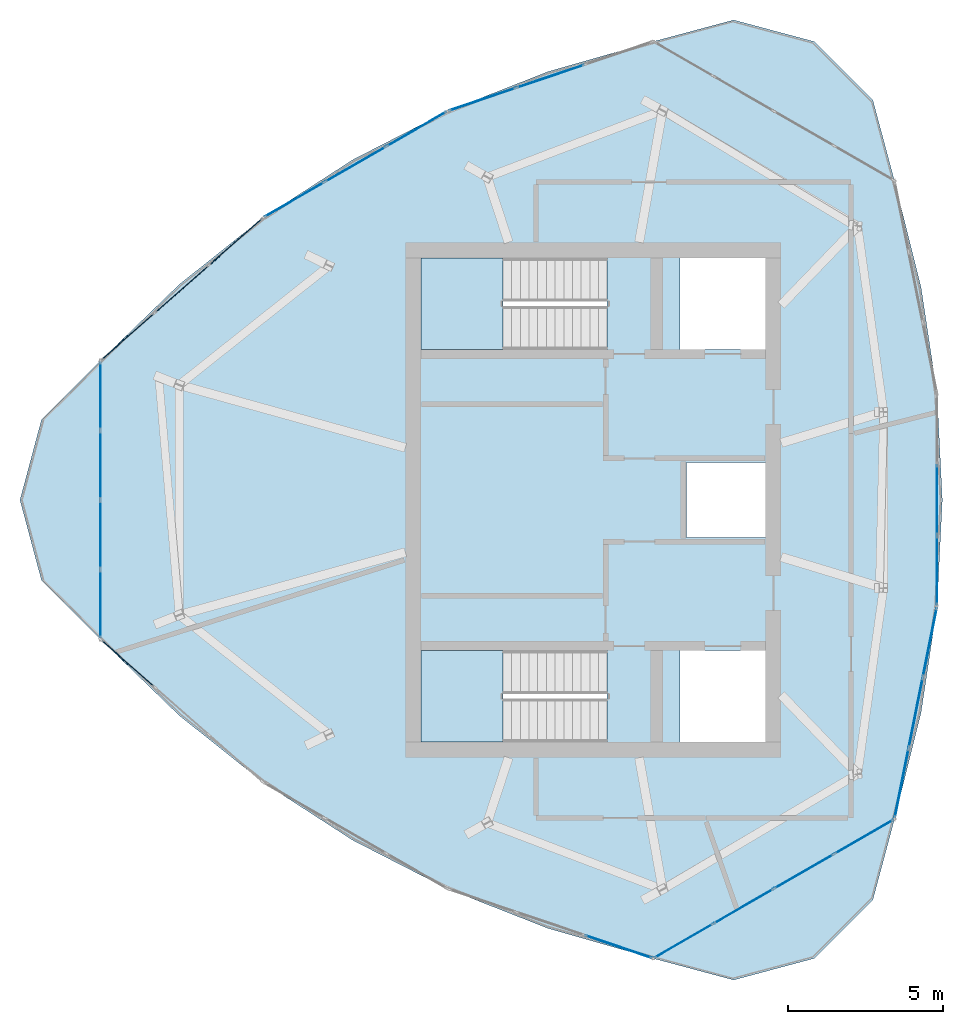
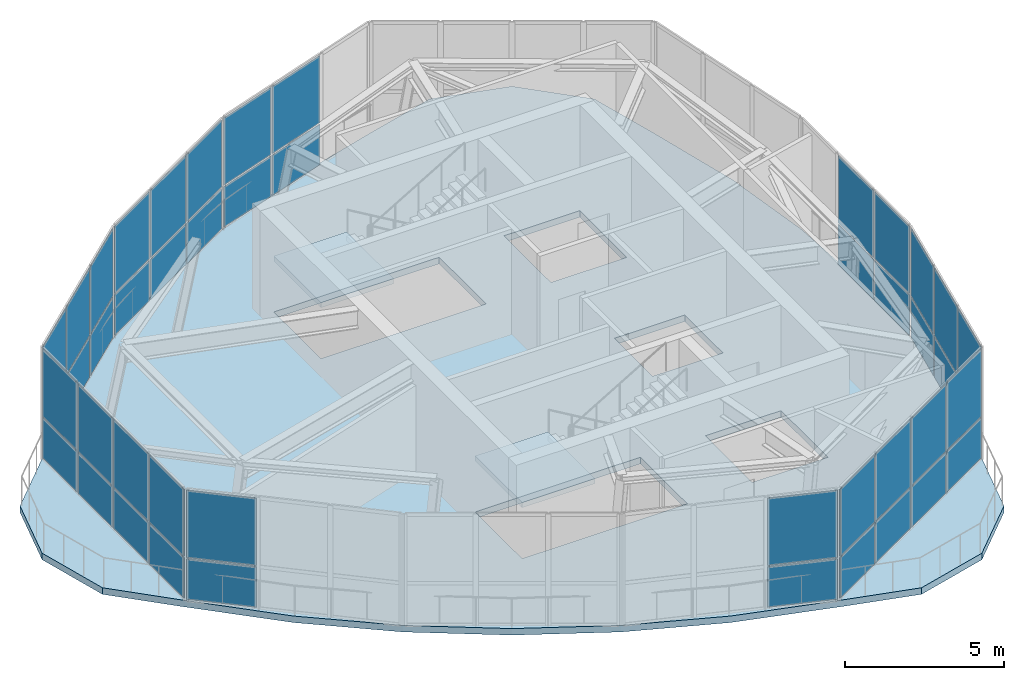
# One storey, part 6 of 11: 46 plates, 3 slabs, 11 elements without a shape of their own.
"""IFC4 building model written with IfcOpenShell, lengths in metres."""

import ifcopenshell
import ifcopenshell.guid

model = None  # the IFC model being written
_history = None  # IfcOwnerHistory: only IFC2X3 demands one
_inside = {}  # id of a spatial element -> (the spatial element, [elements in it])
_under = {}  # id of a project, library or spatial element -> (it, [spatial elements below it])
_declared = {}  # id of a project -> (the project, [libraries it declares])
_typed = {}  # id of a type object -> (the type object, [elements of that type])
_made_of = {}  # id of a material, layer set ... -> (it, [elements and type objects made of it])


def new_model(schema):
    """Start an empty IFC model of exactly this schema.

    Asked for "IFC4X3", IfcOpenShell would pick the latest addendum, in which some entities
    have other attributes; the version numbers below select the first issue.
    IFC2X3 requires an IfcOwnerHistory on every rooted entity: one is made here for all.
    """
    global model, _history
    if schema == "IFC4X3":
        model = ifcopenshell.file(schema_version=(4, 3, 0, 0))
    else:
        model = ifcopenshell.file(schema=schema)
    _inside.clear()
    _under.clear()
    _declared.clear()
    _typed.clear()
    _made_of.clear()
    _history = None
    if model.schema == "IFC2X3":
        org = make("IfcOrganization", Name="unknown")
        user = make(
            "IfcPersonAndOrganization",
            ThePerson=make("IfcPerson", FamilyName="unknown"),
            TheOrganization=org,
        )
        app = make(
            "IfcApplication",
            ApplicationDeveloper=org,
            Version="unknown",
            ApplicationFullName="unknown",
            ApplicationIdentifier="unknown",
        )
        _history = make(
            "IfcOwnerHistory",
            OwningUser=user,
            OwningApplication=app,
            ChangeAction="ADDED",
            CreationDate=0,
        )
    return model


def make(cls, **values):
    """One entity of the class cls with the attributes given. An attribute that is None is left unset."""
    return model.create_entity(
        cls, **{name: value for name, value in values.items() if value is not None}
    )


def rooted(cls, **values):
    """An entity with a GlobalId (a new one), such as an element, a storey or a relation."""
    return make(cls, GlobalId=ifcopenshell.guid.new(), OwnerHistory=_history, **values)


def si_unit(unit_type, name, prefix=None):
    """IfcSIUnit, for example si_unit("LENGTHUNIT", "METRE", prefix="MILLI")."""
    return make("IfcSIUnit", UnitType=unit_type, Prefix=prefix, Name=name)


def assignment(units):
    """IfcUnitAssignment: the units of a project."""
    return None if units is None else make("IfcUnitAssignment", Units=units)


def point(xyz):
    """IfcCartesianPoint."""
    return None if xyz is None else make("IfcCartesianPoint", Coordinates=xyz)


def direction(xyz):
    """IfcDirection."""
    return None if xyz is None else make("IfcDirection", DirectionRatios=xyz)


def frame(location, z_axis=None, x_axis=None):
    """IfcAxis2Placement3D, a coordinate frame: its origin and axes. An axis left out is left unset."""
    return make(
        "IfcAxis2Placement3D",
        Location=point(location),
        Axis=direction(z_axis),
        RefDirection=direction(x_axis),
    )


def frame_2d(location, x_axis=None):
    """IfcAxis2Placement2D, a coordinate frame in the plane: its origin and x axis."""
    return make(
        "IfcAxis2Placement2D", Location=point(location), RefDirection=direction(x_axis)
    )


def origin():
    """The frame at (0, 0, 0) with its axes left unset."""
    return frame((0.0, 0.0, 0.0))


def origin_2d():
    """The frame at (0, 0) in the plane with its x axis left unset."""
    return frame_2d((0.0, 0.0))


def place(relative_to, where):
    """IfcLocalPlacement: puts the frame where relative to a parent placement (None: the world)."""
    return make(
        "IfcLocalPlacement", PlacementRelTo=relative_to, RelativePlacement=where
    )


def context(
    kind, dimensions, precision=None, world=None, true_north=None, identifier=None
):
    """IfcGeometricRepresentationContext, for example the 3D "Model" context."""
    return make(
        "IfcGeometricRepresentationContext",
        ContextIdentifier=identifier,
        ContextType=kind,
        CoordinateSpaceDimension=dimensions,
        Precision=precision,
        WorldCoordinateSystem=world,
        TrueNorth=true_north,
    )


def subcontext(parent, identifier, kind, view, scale=None):
    """IfcGeometricRepresentationSubContext, for example "Body" below "Model"."""
    return make(
        "IfcGeometricRepresentationSubContext",
        ContextIdentifier=identifier,
        ContextType=kind,
        ParentContext=parent,
        TargetScale=scale,
        TargetView=view,
    )


def project(units=None, contexts=None):
    """IfcProject with its units and contexts."""
    return rooted(
        "IfcProject",
        Name="project",
        RepresentationContexts=contexts,
        UnitsInContext=assignment(units),
    )


def spatial(cls, under=None, at=None, **own):
    """A site, building, storey or space (cls), placed at a placement, below another one or the project."""
    s = rooted(cls, ObjectPlacement=at, **own)
    if under is not None:
        _under.setdefault(under.id(), (under, []))[1].append(s)
    return s


def polyline(points):
    """IfcPolyline through the points."""
    return make("IfcPolyline", Points=[point(p) for p in points])


def profile(cls, at=None, kind="AREA", **sizes):
    """A parametric profile (cls). Its sizes go by their IFC names, for example OverallWidth=200.0."""
    return make(cls, ProfileType=kind, Position=at, **sizes)


def rectangle(**sizes):
    """IfcRectangleProfileDef."""
    return profile("IfcRectangleProfileDef", **sizes)


def outline(outer, holes=None, kind="AREA"):
    """IfcArbitraryClosedProfileDef: a profile drawn as a closed curve; with holes, ...WithVoids."""
    if holes is None:
        return make("IfcArbitraryClosedProfileDef", ProfileType=kind, OuterCurve=outer)
    return make(
        "IfcArbitraryProfileDefWithVoids",
        ProfileType=kind,
        OuterCurve=outer,
        InnerCurves=holes,
    )


def extrude(swept, where, along, depth):
    """IfcExtrudedAreaSolid: the profile swept, set in the frame where, extruded along a direction by depth."""
    return make(
        "IfcExtrudedAreaSolid",
        SweptArea=swept,
        Position=where,
        ExtrudedDirection=direction(along),
        Depth=depth,
    )


def shape(context_of_items, identifier, shape_type, items):
    """IfcShapeRepresentation: the items that make up one representation, for example the "Body"."""
    return make(
        "IfcShapeRepresentation",
        ContextOfItems=context_of_items,
        RepresentationIdentifier=identifier,
        RepresentationType=shape_type,
        Items=items,
    )


def source(mapping_origin, context_of_items, identifier, shape_type, items):
    """IfcRepresentationMap: a shape defined once, which mapped items show again and again."""
    return make(
        "IfcRepresentationMap",
        MappingOrigin=mapping_origin,
        MappedRepresentation=shape(context_of_items, identifier, shape_type, items),
    )


def transform(
    local_origin,
    x_axis=None,
    y_axis=None,
    z_axis=None,
    scale=None,
    scale2=None,
    scale3=None,
    uniform=True,
):
    """IfcCartesianTransformationOperator3D, or its non-uniform kind. x_axis, y_axis, z_axis: its Axis1, 2, 3."""
    if uniform:
        return make(
            "IfcCartesianTransformationOperator3D",
            Axis1=direction(x_axis),
            Axis2=direction(y_axis),
            LocalOrigin=point(local_origin),
            Scale=scale,
            Axis3=direction(z_axis),
        )
    return make(
        "IfcCartesianTransformationOperator3DnonUniform",
        Axis1=direction(x_axis),
        Axis2=direction(y_axis),
        LocalOrigin=point(local_origin),
        Scale=scale,
        Axis3=direction(z_axis),
        Scale2=scale2,
        Scale3=scale3,
    )


def mapped(mapping_source, mapping_target):
    """IfcMappedItem: shows the shape of a source again, moved by a transform."""
    return make(
        "IfcMappedItem", MappingSource=mapping_source, MappingTarget=mapping_target
    )


def material(Name=None, Category=None):
    """IfcMaterial."""
    return make("IfcMaterial", Name=Name, Category=Category)


def layer(
    of_material, thickness, ventilated=None, Name=None, Category=None, Priority=None
):
    """IfcMaterialLayer: one layer of a wall or slab, of a material (None: an air gap)."""
    return make(
        "IfcMaterialLayer",
        Material=of_material,
        LayerThickness=thickness,
        IsVentilated=ventilated,
        Name=Name,
        Category=Category,
        Priority=Priority,
    )


def layer_set(layers, Name=None):
    """IfcMaterialLayerSet."""
    return make("IfcMaterialLayerSet", MaterialLayers=layers, LayerSetName=Name)


def made_of(thing, what):
    """Note that an element or type object is made of a material, layer set ...; save() writes the relation."""
    if what is not None:
        _made_of.setdefault(what.id(), (what, []))[1].append(thing)
    return thing


def type_object(cls, material=None, **own):
    """A type object (cls), such as IfcWallType, which elements share."""
    return made_of(rooted(cls, **own), material)


def element(
    cls,
    number,
    at=None,
    inside=None,
    cuts=None,
    type_object=None,
    material=None,
    context=None,
    identifier="Body",
    shape_type=None,
    held_by="IfcProductDefinitionShape",
    body=None,
    shapes=None,
    **own,
):
    """One element of the class cls, such as IfcWall. Its Tag is "e" and its number.

    at: its placement. inside: the storey or other place that contains it. cuts: it is an
    opening in that element (IfcRelVoidsElement). A single representation is given by context,
    identifier, shape_type and body (its items); several are given by shapes. held_by: the class
    of the entity that holds the representations. save() writes the other relations.
    """
    e = rooted(cls, Tag="e%d" % number, ObjectPlacement=at, **own)
    if body is not None:
        shapes = [shape(context, identifier, shape_type, body)]
    if shapes is not None:
        e.Representation = make(held_by, Representations=shapes)
    if inside is not None:
        _inside.setdefault(inside.id(), (inside, []))[1].append(e)
    if cuts is not None:
        rooted(
            "IfcRelVoidsElement", RelatingBuildingElement=cuts, RelatedOpeningElement=e
        )
    if type_object is not None:
        _typed.setdefault(type_object.id(), (type_object, []))[1].append(e)
    return made_of(e, material)


def aggregate(whole, parts):
    """IfcRelAggregates: a whole, such as a stair, and the parts it consists of."""
    return rooted("IfcRelAggregates", RelatingObject=whole, RelatedObjects=parts)


def save(model, path):
    """Write the relations noted so far, then the file.

    IfcRelAggregates (storeys below a building ...), IfcRelContainedInSpatialStructure (elements
    in a storey), IfcRelDefinesByType, IfcRelAssociatesMaterial and IfcRelDeclares: one each for
    every whole, place, type object, material and project.
    """
    for whole, parts in _under.values():
        aggregate(whole, parts)
    for where, things in _inside.values():
        rooted(
            "IfcRelContainedInSpatialStructure",
            RelatedElements=things,
            RelatingStructure=where,
        )
    for kind, things in _typed.values():
        rooted("IfcRelDefinesByType", RelatedObjects=things, RelatingType=kind)
    for what, things in _made_of.values():
        rooted("IfcRelAssociatesMaterial", RelatedObjects=things, RelatingMaterial=what)
    for by, libraries in _declared.values():
        rooted("IfcRelDeclares", RelatingContext=by, RelatedDefinitions=libraries)
    model.write(path)


model = new_model("IFC4")

# Units and contexts
model_context = context("Model", 3, precision=1e-05, world=origin(), true_north=direction((0.0, 1.0)))
body_context = subcontext(model_context, "Body", "Model", "MODEL_VIEW")
ifc_project = project(units=[si_unit("LENGTHUNIT", "METRE"), si_unit("AREAUNIT", "SQUARE_METRE"), si_unit("VOLUMEUNIT", "CUBIC_METRE"), si_unit("PLANEANGLEUNIT", "RADIAN"), si_unit("MASSUNIT", "GRAM", prefix="KILO")], contexts=[model_context])

# Site, building, storey
site_placement = place(None, origin())
site = spatial("IfcSite", under=ifc_project, at=site_placement, CompositionType="ELEMENT")
building_placement = place(site_placement, origin())
building = spatial("IfcBuilding", under=site, at=building_placement, Name="Qafzar Sky-Pleat Residences", CompositionType="ELEMENT")
storey_placement = place(building_placement, frame((0.0, 0.0, 257.5)))
storey = spatial("IfcBuildingStorey", under=building, at=storey_placement, Name="L77 Crown", CompositionType="ELEMENT", Elevation=257.5)

# Slab
ifc_material_1 = material(Name="Concrete C40/50", Category="concrete")
ifc_layer_1 = layer(ifc_material_1, 0.25)
ifc_layer_set_1 = layer_set([ifc_layer_1], Name="Concrete C40/50")
slab_type_1 = type_object("IfcSlabType", Name="SLAB-FLR-250", PredefinedType="FLOOR", material=ifc_layer_set_1)
slab_1_placement = place(storey_placement, frame((0.0, 0.0, -0.25)))
element("IfcSlab", 1, at=slab_1_placement, inside=storey, type_object=slab_type_1, Name="L77 Crown Crown Plant Floor Slab", PredefinedType="FLOOR", context=body_context, shape_type="SweptSolid", body=[
    extrude(outline(polyline([(14.474609375, 30.4873046875), (12.577880859375, 28.5908203125), (11.8837890625, 26.0), (12.577880859375, 23.4091796875), (14.474609375, 21.5126953125), (17.013916015625, 19.0576171875), (19.724609375, 16.89892578125), (22.606689453125, 15.037109375), (25.659912109375, 13.47216796875), (28.884765625, 12.203857421875), (32.28076171875, 11.232421875), (34.871337890625, 10.5380859375), (37.462158203125, 11.232421875), (39.358642578125, 13.12890625), (40.052734375, 15.719482421875), (40.909423828125, 19.146484375), (41.423583984375, 22.5732421875), (41.5947265625, 26.0), (41.423583984375, 29.4267578125), (40.909423828125, 32.853515625), (40.052734375, 36.280517578125), (39.358642578125, 38.87109375), (37.462158203125, 40.767578125), (34.871337890625, 41.4619140625), (32.28076171875, 40.767578125), (28.884765625, 39.796142578125), (25.659912109375, 38.52783203125), (22.606689453125, 36.962890625), (19.724609375, 35.10107421875), (17.013916015625, 32.9423828125), (14.474609375, 30.4873046875)]), holes=[polyline([(30.797119140625, 21.14990234375), (24.800048828125, 21.14990234375), (24.800048828125, 18.199951171875), (30.797119140625, 18.199951171875), (30.797119140625, 21.14990234375)]), polyline([(30.797119140625, 33.800048828125), (24.800048828125, 33.800048828125), (24.800048828125, 30.85009765625), (30.797119140625, 30.85009765625), (30.797119140625, 33.800048828125)]), polyline([(33.14990234375, 18.199951171875), (35.89990234375, 18.199951171875), (35.89990234375, 21.14990234375), (33.14990234375, 21.14990234375), (33.14990234375, 18.199951171875)]), polyline([(33.14990234375, 30.85009765625), (35.89990234375, 30.85009765625), (35.89990234375, 33.800048828125), (33.14990234375, 33.800048828125), (33.14990234375, 30.85009765625)]), polyline([(33.35009765625, 24.800048828125), (35.89990234375, 24.800048828125), (35.89990234375, 27.199951171875), (33.35009765625, 27.199951171875), (33.35009765625, 24.800048828125)])]), origin(), (0.0, 0.0, 1.0), 0.25),
])

# Stair, slab
stair_type = type_object("IfcStairType", Name="STAIR-H430", PredefinedType="HALF_TURN_STAIR", material=ifc_material_1)
stair_1_placement = place(storey_placement, origin())
stair_1 = element("IfcStair", 2, at=stair_1_placement, inside=storey, type_object=stair_type, Name="L77 Crown Protected Exit Stair ST1", PredefinedType="HALF_TURN_STAIR")
ifc_layer_2 = layer(ifc_material_1, 0.199951171875)
ifc_layer_set_2 = layer_set([ifc_layer_2], Name="Concrete C40/50")
slab_type_2 = type_object("IfcSlabType", Name="SLAB-LANDING-200", PredefinedType="LANDING", material=ifc_layer_set_2)
slab_2_placement = place(storey_placement, frame((0.0, 0.0, 1.949951171875)))
slab_2 = element("IfcSlab", 3, at=slab_2_placement, type_object=slab_type_2, Name="ST1 landing 1", PredefinedType="LANDING", context=body_context, shape_type="SweptSolid", body=[
    extrude(outline(polyline([(27.43994140625, 21.14990234375), (24.800048828125, 21.14990234375), (24.800048828125, 18.199951171875), (27.43994140625, 18.199951171875), (27.43994140625, 21.14990234375)])), origin(), (0.0, 0.0, 1.0), 0.199951171875),
])
aggregate(stair_1, [slab_2])

stair_2_placement = place(storey_placement, origin())
stair_2 = element("IfcStair", 4, at=stair_2_placement, inside=storey, type_object=stair_type, Name="L77 Crown Protected Exit Stair ST2", PredefinedType="HALF_TURN_STAIR")
slab_3_placement = place(storey_placement, frame((0.0, 0.0, 1.949951171875)))
slab_3 = element("IfcSlab", 5, at=slab_3_placement, type_object=slab_type_2, Name="ST2 landing 1", PredefinedType="LANDING", context=body_context, shape_type="SweptSolid", body=[
    extrude(outline(polyline([(27.43994140625, 33.800048828125), (24.800048828125, 33.800048828125), (24.800048828125, 30.85009765625), (27.43994140625, 30.85009765625), (27.43994140625, 33.800048828125)])), origin(), (0.0, 0.0, 1.0), 0.199951171875),
])
aggregate(stair_2, [slab_3])

# Curtain wall, plates
ifc_material_2 = material(Name="Anodised bronze aluminium framing", Category="aluminium")
ifc_layer_3 = layer(ifc_material_2, 0.179931640625)
ifc_layer_set_3 = layer_set([ifc_layer_3], Name="Anodised bronze aluminium framing")
curtain_wall_type = type_object("IfcCurtainWallType", Name="CW-SYS-06", PredefinedType="NOTDEFINED", material=ifc_layer_set_3)
curtain_wall_1_placement = place(storey_placement, origin())
curtain_wall_1 = element("IfcCurtainWall", 6, at=curtain_wall_1_placement, inside=storey, type_object=curtain_wall_type, Name="L77 Crown CW-06 Curtain Wall CW-CROWN-02-01", PredefinedType="NOTDEFINED")
ifc_material_3 = material(Name="Solar-control double low-E glazing", Category="glass")
ifc_layer_4 = layer(ifc_material_3, 0.02587890625)
ifc_layer_set_4 = layer_set([ifc_layer_4], Name="Solar-control double low-E glazing")
plate_type = type_object("IfcPlateType", Name="CWP-06", PredefinedType="CURTAIN_PANEL", material=ifc_layer_set_4)
shared_shape_1 = source(origin(), body_context, "Body", "SweptSolid", [
    extrude(rectangle(XDim=2.153564453125, YDim=0.02587890625, at=origin_2d()), origin(), (0.0, 0.0, 1.0), 1.5439453125),
])
plate_1_placement = place(storey_placement, frame((14.474609375, 29.350341796875, 0.06005859375), z_axis=(0.0, 0.0, 1.0), x_axis=(0.0, -1.0, 0.0)))
plate_1 = element("IfcPlate", 7, at=plate_1_placement, type_object=plate_type, Name="CW-06 panel 1.1", PredefinedType="CURTAIN_PANEL", context=body_context, shape_type="MappedRepresentation", body=[
    mapped(shared_shape_1, transform((0.0, 0.0, 0.0), x_axis=(1.0, 0.0, 0.0), y_axis=(0.0, 1.0, 0.0), z_axis=(0.0, 0.0, 1.0), scale=1.0)),
])
plate_2_placement = place(storey_placement, frame((14.474609375, 22.649658203125, 0.06005859375), z_axis=(0.0, 0.0, 1.0), x_axis=(0.0, -1.0, 0.0)))
plate_2 = element("IfcPlate", 8, at=plate_2_placement, type_object=plate_type, Name="CW-06 panel 4.1", PredefinedType="CURTAIN_PANEL", context=body_context, shape_type="MappedRepresentation", body=[
    mapped(shared_shape_1, transform((0.0, 0.0, 0.0), x_axis=(1.0, 0.0, 0.0), y_axis=(0.0, 1.0, 0.0), z_axis=(0.0, 0.0, 1.0), scale=1.0)),
])

curtain_wall_2_placement = place(storey_placement, origin())
curtain_wall_2 = element("IfcCurtainWall", 9, at=curtain_wall_2_placement, inside=storey, type_object=curtain_wall_type, Name="L77 Crown CW-06 Curtain Wall CW-CROWN-02-05", PredefinedType="NOTDEFINED")
plate_3_placement = place(storey_placement, frame((33.26513671875, 11.80078125, 0.06005859375), z_axis=(0.0, 0.0, 1.0), x_axis=(0.866023777377, 0.500002817009, 0.0)))
plate_3 = element("IfcPlate", 10, at=plate_3_placement, type_object=plate_type, Name="CW-06 panel 1.1", PredefinedType="CURTAIN_PANEL", context=body_context, shape_type="MappedRepresentation", body=[
    mapped(shared_shape_1, transform((0.0, 0.0, 0.0), x_axis=(1.0, 0.0, 0.0), y_axis=(0.0, 1.0, 0.0), z_axis=(0.0, 0.0, 1.0), scale=1.0)),
])
plate_4_placement = place(storey_placement, frame((39.068115234375, 15.151123046875, 0.06005859375), z_axis=(0.0, 0.0, 1.0), x_axis=(0.866023777377, 0.500002817009, 0.0)))
plate_4 = element("IfcPlate", 11, at=plate_4_placement, type_object=plate_type, Name="CW-06 panel 4.1", PredefinedType="CURTAIN_PANEL", context=body_context, shape_type="MappedRepresentation", body=[
    mapped(shared_shape_1, transform((0.0, 0.0, 0.0), x_axis=(1.0, 0.0, 0.0), y_axis=(0.0, 1.0, 0.0), z_axis=(0.0, 0.0, 1.0), scale=1.0)),
])

# Plate
shared_shape_2 = source(origin(), body_context, "Body", "SweptSolid", [
    extrude(rectangle(XDim=2.153564453125, YDim=0.02587890625, at=origin_2d()), origin(), (0.0, 0.0, 1.0), 2.575927734375),
])
plate_5_placement = place(storey_placement, frame((14.474609375, 29.350341796875, 1.6640625), z_axis=(0.0, 0.0, 1.0), x_axis=(0.0, -1.0, 0.0)))
plate_5 = element("IfcPlate", 12, at=plate_5_placement, type_object=plate_type, Name="CW-06 panel 1.2", PredefinedType="CURTAIN_PANEL", context=body_context, shape_type="MappedRepresentation", body=[
    mapped(shared_shape_2, transform((0.0, 0.0, 0.0), x_axis=(1.0, 0.0, 0.0), y_axis=(0.0, 1.0, 0.0), z_axis=(0.0, 0.0, 1.0), scale=1.0)),
])

plate_6_placement = place(storey_placement, frame((14.474609375, 22.649658203125, 1.6640625), z_axis=(0.0, 0.0, 1.0), x_axis=(0.0, -1.0, 0.0)))
plate_6 = element("IfcPlate", 13, at=plate_6_placement, type_object=plate_type, Name="CW-06 panel 4.2", PredefinedType="CURTAIN_PANEL", context=body_context, shape_type="MappedRepresentation", body=[
    mapped(shared_shape_2, transform((0.0, 0.0, 0.0), x_axis=(1.0, 0.0, 0.0), y_axis=(0.0, 1.0, 0.0), z_axis=(0.0, 0.0, 1.0), scale=1.0)),
])

plate_7_placement = place(storey_placement, frame((33.26513671875, 11.80078125, 1.6640625), z_axis=(0.0, 0.0, 1.0), x_axis=(0.866023777377, 0.500002817009, 0.0)))
plate_7 = element("IfcPlate", 14, at=plate_7_placement, type_object=plate_type, Name="CW-06 panel 1.2", PredefinedType="CURTAIN_PANEL", context=body_context, shape_type="MappedRepresentation", body=[
    mapped(shared_shape_2, transform((0.0, 0.0, 0.0), x_axis=(1.0, 0.0, 0.0), y_axis=(0.0, 1.0, 0.0), z_axis=(0.0, 0.0, 1.0), scale=1.0)),
])

plate_8_placement = place(storey_placement, frame((39.068115234375, 15.151123046875, 1.6640625), z_axis=(0.0, 0.0, 1.0), x_axis=(0.866023777377, 0.500002817009, 0.0)))
plate_8 = element("IfcPlate", 15, at=plate_8_placement, type_object=plate_type, Name="CW-06 panel 4.2", PredefinedType="CURTAIN_PANEL", context=body_context, shape_type="MappedRepresentation", body=[
    mapped(shared_shape_2, transform((0.0, 0.0, 0.0), x_axis=(1.0, 0.0, 0.0), y_axis=(0.0, 1.0, 0.0), z_axis=(0.0, 0.0, 1.0), scale=1.0)),
])

shared_shape_3 = source(origin(), body_context, "Body", "SweptSolid", [
    extrude(rectangle(XDim=2.18359375, YDim=0.02587890625, at=origin_2d()), origin(), (0.0, 0.0, 1.0), 1.5439453125),
])
plate_9_placement = place(storey_placement, frame((14.474609375, 27.121826171875, 0.06005859375), z_axis=(0.0, 0.0, 1.0), x_axis=(0.0, -1.0, 0.0)))
plate_9 = element("IfcPlate", 16, at=plate_9_placement, type_object=plate_type, Name="CW-06 panel 2.1", PredefinedType="CURTAIN_PANEL", context=body_context, shape_type="MappedRepresentation", body=[
    mapped(shared_shape_3, transform((0.0, 0.0, 0.0), x_axis=(1.0, 0.0, 0.0), y_axis=(0.0, 1.0, 0.0), z_axis=(0.0, 0.0, 1.0), scale=1.0)),
])

plate_10_placement = place(storey_placement, frame((14.474609375, 24.878173828125, 0.06005859375), z_axis=(0.0, 0.0, 1.0), x_axis=(0.0, -1.0, 0.0)))
plate_10 = element("IfcPlate", 17, at=plate_10_placement, type_object=plate_type, Name="CW-06 panel 3.1", PredefinedType="CURTAIN_PANEL", context=body_context, shape_type="MappedRepresentation", body=[
    mapped(shared_shape_3, transform((0.0, 0.0, 0.0), x_axis=(1.0, 0.0, 0.0), y_axis=(0.0, 1.0, 0.0), z_axis=(0.0, 0.0, 1.0), scale=1.0)),
])

plate_11_placement = place(storey_placement, frame((35.1953125, 12.9150390625, 0.06005859375), z_axis=(0.0, 0.0, 1.0), x_axis=(0.866023777377, 0.500002817009, 0.0)))
plate_11 = element("IfcPlate", 18, at=plate_11_placement, type_object=plate_type, Name="CW-06 panel 2.1", PredefinedType="CURTAIN_PANEL", context=body_context, shape_type="MappedRepresentation", body=[
    mapped(shared_shape_3, transform((0.0, 0.0, 0.0), x_axis=(1.0, 0.0, 0.0), y_axis=(0.0, 1.0, 0.0), z_axis=(0.0, 0.0, 1.0), scale=1.0)),
])

plate_12_placement = place(storey_placement, frame((37.13818359375, 14.036865234375, 0.06005859375), z_axis=(0.0, 0.0, 1.0), x_axis=(0.866023777377, 0.500002817009, 0.0)))
plate_12 = element("IfcPlate", 19, at=plate_12_placement, type_object=plate_type, Name="CW-06 panel 3.1", PredefinedType="CURTAIN_PANEL", context=body_context, shape_type="MappedRepresentation", body=[
    mapped(shared_shape_3, transform((0.0, 0.0, 0.0), x_axis=(1.0, 0.0, 0.0), y_axis=(0.0, 1.0, 0.0), z_axis=(0.0, 0.0, 1.0), scale=1.0)),
])

shared_shape_4 = source(origin(), body_context, "Body", "SweptSolid", [
    extrude(rectangle(XDim=2.18359375, YDim=0.02587890625, at=origin_2d()), origin(), (0.0, 0.0, 1.0), 2.575927734375),
])
plate_13_placement = place(storey_placement, frame((14.474609375, 27.121826171875, 1.6640625), z_axis=(0.0, 0.0, 1.0), x_axis=(0.0, -1.0, 0.0)))
plate_13 = element("IfcPlate", 20, at=plate_13_placement, type_object=plate_type, Name="CW-06 panel 2.2", PredefinedType="CURTAIN_PANEL", context=body_context, shape_type="MappedRepresentation", body=[
    mapped(shared_shape_4, transform((0.0, 0.0, 0.0), x_axis=(1.0, 0.0, 0.0), y_axis=(0.0, 1.0, 0.0), z_axis=(0.0, 0.0, 1.0), scale=1.0)),
])

plate_14_placement = place(storey_placement, frame((14.474609375, 24.878173828125, 1.6640625), z_axis=(0.0, 0.0, 1.0), x_axis=(0.0, -1.0, 0.0)))
plate_14 = element("IfcPlate", 21, at=plate_14_placement, type_object=plate_type, Name="CW-06 panel 3.2", PredefinedType="CURTAIN_PANEL", context=body_context, shape_type="MappedRepresentation", body=[
    mapped(shared_shape_4, transform((0.0, 0.0, 0.0), x_axis=(1.0, 0.0, 0.0), y_axis=(0.0, 1.0, 0.0), z_axis=(0.0, 0.0, 1.0), scale=1.0)),
])

aggregate(curtain_wall_1, [plate_1, plate_5, plate_9, plate_13, plate_10, plate_14, plate_2, plate_6])

plate_15_placement = place(storey_placement, frame((35.1953125, 12.9150390625, 1.6640625), z_axis=(0.0, 0.0, 1.0), x_axis=(0.866023777377, 0.500002817009, 0.0)))
plate_15 = element("IfcPlate", 22, at=plate_15_placement, type_object=plate_type, Name="CW-06 panel 2.2", PredefinedType="CURTAIN_PANEL", context=body_context, shape_type="MappedRepresentation", body=[
    mapped(shared_shape_4, transform((0.0, 0.0, 0.0), x_axis=(1.0, 0.0, 0.0), y_axis=(0.0, 1.0, 0.0), z_axis=(0.0, 0.0, 1.0), scale=1.0)),
])

plate_16_placement = place(storey_placement, frame((37.13818359375, 14.036865234375, 1.6640625), z_axis=(0.0, 0.0, 1.0), x_axis=(0.866023777377, 0.500002817009, 0.0)))
plate_16 = element("IfcPlate", 23, at=plate_16_placement, type_object=plate_type, Name="CW-06 panel 3.2", PredefinedType="CURTAIN_PANEL", context=body_context, shape_type="MappedRepresentation", body=[
    mapped(shared_shape_4, transform((0.0, 0.0, 0.0), x_axis=(1.0, 0.0, 0.0), y_axis=(0.0, 1.0, 0.0), z_axis=(0.0, 0.0, 1.0), scale=1.0)),
])

aggregate(curtain_wall_2, [plate_3, plate_7, plate_11, plate_15, plate_12, plate_16, plate_4, plate_8])

# Curtain wall, plate
curtain_wall_3_placement = place(storey_placement, origin())
curtain_wall_3 = element("IfcCurtainWall", 24, at=curtain_wall_3_placement, inside=storey, type_object=curtain_wall_type, Name="L77 Crown CW-06 Curtain Wall CW-CROWN-02-02", PredefinedType="NOTDEFINED")
shared_shape_5 = source(origin(), body_context, "Body", "SweptSolid", [
    extrude(rectangle(XDim=2.23974609375, YDim=0.02587890625, at=origin_2d()), origin(), (0.0, 0.0, 1.0), 1.5439453125),
])
plate_17_placement = place(storey_placement, frame((15.36083984375, 20.73388671875, 0.06005859375), z_axis=(0.0, 0.0, 1.0), x_axis=(0.751152429383, -0.660128796397, 0.0)))
plate_17 = element("IfcPlate", 25, at=plate_17_placement, type_object=plate_type, Name="CW-06 panel 1.1", PredefinedType="CURTAIN_PANEL", context=body_context, shape_type="MappedRepresentation", body=[
    mapped(shared_shape_5, transform((0.0, 0.0, 0.0), x_axis=(1.0, 0.0, 0.0), y_axis=(0.0, 1.0, 0.0), z_axis=(0.0, 0.0, 1.0), scale=1.0)),
])

curtain_wall_4_placement = place(storey_placement, origin())
curtain_wall_4 = element("IfcCurtainWall", 26, at=curtain_wall_4_placement, inside=storey, type_object=curtain_wall_type, Name="L77 Crown CW-06 Curtain Wall CW-CROWN-02-04", PredefinedType="NOTDEFINED")
plate_18_placement = place(storey_placement, frame((31.1630859375, 11.610595703125, 0.06005859375), z_axis=(0.0, 0.0, 1.0), x_axis=(0.947266024135, -0.320448247802, 0.0)))
plate_18 = element("IfcPlate", 27, at=plate_18_placement, type_object=plate_type, Name="CW-06 panel 3.1", PredefinedType="CURTAIN_PANEL", context=body_context, shape_type="MappedRepresentation", body=[
    mapped(shared_shape_5, transform((0.0, 0.0, 0.0), x_axis=(1.0, 0.0, 0.0), y_axis=(0.0, 1.0, 0.0), z_axis=(0.0, 0.0, 1.0), scale=1.0)),
])

# Curtain wall, plates
curtain_wall_5_placement = place(storey_placement, origin())
curtain_wall_5 = element("IfcCurtainWall", 28, at=curtain_wall_5_placement, inside=storey, type_object=curtain_wall_type, Name="L77 Crown CW-06 Curtain Wall CW-CROWN-02-06", PredefinedType="NOTDEFINED")
plate_19_placement = place(storey_placement, frame((40.2841796875, 16.87646484375, 0.06005859375), z_axis=(0.0, 0.0, 1.0), x_axis=(0.196127140892, 0.980578474476, 0.0)))
plate_19 = element("IfcPlate", 29, at=plate_19_placement, type_object=plate_type, Name="CW-06 panel 1.1", PredefinedType="CURTAIN_PANEL", context=body_context, shape_type="MappedRepresentation", body=[
    mapped(shared_shape_5, transform((0.0, 0.0, 0.0), x_axis=(1.0, 0.0, 0.0), y_axis=(0.0, 1.0, 0.0), z_axis=(0.0, 0.0, 1.0), scale=1.0)),
])
plate_20_placement = place(storey_placement, frame((41.192138671875, 21.416259765625, 0.06005859375), z_axis=(0.0, 0.0, 1.0), x_axis=(0.196127140892, 0.980578474476, 0.0)))
plate_20 = element("IfcPlate", 30, at=plate_20_placement, type_object=plate_type, Name="CW-06 panel 3.1", PredefinedType="CURTAIN_PANEL", context=body_context, shape_type="MappedRepresentation", body=[
    mapped(shared_shape_5, transform((0.0, 0.0, 0.0), x_axis=(1.0, 0.0, 0.0), y_axis=(0.0, 1.0, 0.0), z_axis=(0.0, 0.0, 1.0), scale=1.0)),
])

# Curtain wall, plate
curtain_wall_6_placement = place(storey_placement, origin())
curtain_wall_6 = element("IfcCurtainWall", 31, at=curtain_wall_6_placement, inside=storey, type_object=curtain_wall_type, Name="L77 Crown CW-06 Curtain Wall CW-CROWN-02-10", PredefinedType="NOTDEFINED")
plate_21_placement = place(storey_placement, frame((26.777587890625, 38.906005859375, 0.06005859375), z_axis=(0.0, 0.0, 1.0), x_axis=(-0.947266024135, -0.320448247802, 0.0)))
plate_21 = element("IfcPlate", 32, at=plate_21_placement, type_object=plate_type, Name="CW-06 panel 3.1", PredefinedType="CURTAIN_PANEL", context=body_context, shape_type="MappedRepresentation", body=[
    mapped(shared_shape_5, transform((0.0, 0.0, 0.0), x_axis=(1.0, 0.0, 0.0), y_axis=(0.0, 1.0, 0.0), z_axis=(0.0, 0.0, 1.0), scale=1.0)),
])

# Curtain wall, plates
curtain_wall_7_placement = place(storey_placement, origin())
curtain_wall_7 = element("IfcCurtainWall", 33, at=curtain_wall_7_placement, inside=storey, type_object=curtain_wall_type, Name="L77 Crown CW-06 Curtain Wall CW-CROWN-02-12", PredefinedType="NOTDEFINED")
plate_22_placement = place(storey_placement, frame((18.83837890625, 34.322265625, 0.06005859375), z_axis=(0.0, 0.0, 1.0), x_axis=(-0.751152429383, -0.660128796397, 0.0)))
plate_22 = element("IfcPlate", 34, at=plate_22_placement, type_object=plate_type, Name="CW-06 panel 1.1", PredefinedType="CURTAIN_PANEL", context=body_context, shape_type="MappedRepresentation", body=[
    mapped(shared_shape_5, transform((0.0, 0.0, 0.0), x_axis=(1.0, 0.0, 0.0), y_axis=(0.0, 1.0, 0.0), z_axis=(0.0, 0.0, 1.0), scale=1.0)),
])
plate_23_placement = place(storey_placement, frame((15.36083984375, 31.26611328125, 0.06005859375), z_axis=(0.0, 0.0, 1.0), x_axis=(-0.751152429383, -0.660128796397, 0.0)))
plate_23 = element("IfcPlate", 35, at=plate_23_placement, type_object=plate_type, Name="CW-06 panel 3.1", PredefinedType="CURTAIN_PANEL", context=body_context, shape_type="MappedRepresentation", body=[
    mapped(shared_shape_5, transform((0.0, 0.0, 0.0), x_axis=(1.0, 0.0, 0.0), y_axis=(0.0, 1.0, 0.0), z_axis=(0.0, 0.0, 1.0), scale=1.0)),
])

# Plate
shared_shape_6 = source(origin(), body_context, "Body", "SweptSolid", [
    extrude(rectangle(XDim=2.23974609375, YDim=0.02587890625, at=origin_2d()), origin(), (0.0, 0.0, 1.0), 2.575927734375),
])
plate_24_placement = place(storey_placement, frame((15.36083984375, 20.73388671875, 1.6640625), z_axis=(0.0, 0.0, 1.0), x_axis=(0.751152429383, -0.660128796397, 0.0)))
plate_24 = element("IfcPlate", 36, at=plate_24_placement, type_object=plate_type, Name="CW-06 panel 1.2", PredefinedType="CURTAIN_PANEL", context=body_context, shape_type="MappedRepresentation", body=[
    mapped(shared_shape_6, transform((0.0, 0.0, 0.0), x_axis=(1.0, 0.0, 0.0), y_axis=(0.0, 1.0, 0.0), z_axis=(0.0, 0.0, 1.0), scale=1.0)),
])

aggregate(curtain_wall_3, [plate_17, plate_24])

plate_25_placement = place(storey_placement, frame((31.1630859375, 11.610595703125, 1.6640625), z_axis=(0.0, 0.0, 1.0), x_axis=(0.947266024135, -0.320448247802, 0.0)))
plate_25 = element("IfcPlate", 37, at=plate_25_placement, type_object=plate_type, Name="CW-06 panel 3.2", PredefinedType="CURTAIN_PANEL", context=body_context, shape_type="MappedRepresentation", body=[
    mapped(shared_shape_6, transform((0.0, 0.0, 0.0), x_axis=(1.0, 0.0, 0.0), y_axis=(0.0, 1.0, 0.0), z_axis=(0.0, 0.0, 1.0), scale=1.0)),
])

aggregate(curtain_wall_4, [plate_18, plate_25])

plate_26_placement = place(storey_placement, frame((40.2841796875, 16.87646484375, 1.6640625), z_axis=(0.0, 0.0, 1.0), x_axis=(0.196127140892, 0.980578474476, 0.0)))
plate_26 = element("IfcPlate", 38, at=plate_26_placement, type_object=plate_type, Name="CW-06 panel 1.2", PredefinedType="CURTAIN_PANEL", context=body_context, shape_type="MappedRepresentation", body=[
    mapped(shared_shape_6, transform((0.0, 0.0, 0.0), x_axis=(1.0, 0.0, 0.0), y_axis=(0.0, 1.0, 0.0), z_axis=(0.0, 0.0, 1.0), scale=1.0)),
])

plate_27_placement = place(storey_placement, frame((41.192138671875, 21.416259765625, 1.6640625), z_axis=(0.0, 0.0, 1.0), x_axis=(0.196127140892, 0.980578474476, 0.0)))
plate_27 = element("IfcPlate", 39, at=plate_27_placement, type_object=plate_type, Name="CW-06 panel 3.2", PredefinedType="CURTAIN_PANEL", context=body_context, shape_type="MappedRepresentation", body=[
    mapped(shared_shape_6, transform((0.0, 0.0, 0.0), x_axis=(1.0, 0.0, 0.0), y_axis=(0.0, 1.0, 0.0), z_axis=(0.0, 0.0, 1.0), scale=1.0)),
])

plate_28_placement = place(storey_placement, frame((26.777587890625, 38.906005859375, 1.6640625), z_axis=(0.0, 0.0, 1.0), x_axis=(-0.947266024135, -0.320448247802, 0.0)))
plate_28 = element("IfcPlate", 40, at=plate_28_placement, type_object=plate_type, Name="CW-06 panel 3.2", PredefinedType="CURTAIN_PANEL", context=body_context, shape_type="MappedRepresentation", body=[
    mapped(shared_shape_6, transform((0.0, 0.0, 0.0), x_axis=(1.0, 0.0, 0.0), y_axis=(0.0, 1.0, 0.0), z_axis=(0.0, 0.0, 1.0), scale=1.0)),
])

plate_29_placement = place(storey_placement, frame((18.83837890625, 34.322265625, 1.6640625), z_axis=(0.0, 0.0, 1.0), x_axis=(-0.751152429383, -0.660128796397, 0.0)))
plate_29 = element("IfcPlate", 41, at=plate_29_placement, type_object=plate_type, Name="CW-06 panel 1.2", PredefinedType="CURTAIN_PANEL", context=body_context, shape_type="MappedRepresentation", body=[
    mapped(shared_shape_6, transform((0.0, 0.0, 0.0), x_axis=(1.0, 0.0, 0.0), y_axis=(0.0, 1.0, 0.0), z_axis=(0.0, 0.0, 1.0), scale=1.0)),
])

plate_30_placement = place(storey_placement, frame((15.36083984375, 31.26611328125, 1.6640625), z_axis=(0.0, 0.0, 1.0), x_axis=(-0.751152429383, -0.660128796397, 0.0)))
plate_30 = element("IfcPlate", 42, at=plate_30_placement, type_object=plate_type, Name="CW-06 panel 3.2", PredefinedType="CURTAIN_PANEL", context=body_context, shape_type="MappedRepresentation", body=[
    mapped(shared_shape_6, transform((0.0, 0.0, 0.0), x_axis=(1.0, 0.0, 0.0), y_axis=(0.0, 1.0, 0.0), z_axis=(0.0, 0.0, 1.0), scale=1.0)),
])

shared_shape_7 = source(origin(), body_context, "Body", "SweptSolid", [
    extrude(rectangle(XDim=2.269775390625, YDim=0.02587890625, at=origin_2d()), origin(), (0.0, 0.0, 1.0), 1.5439453125),
])
plate_31_placement = place(storey_placement, frame((40.738037109375, 19.146484375, 0.06005859375), z_axis=(0.0, 0.0, 1.0), x_axis=(0.196127140892, 0.980578474476, 0.0)))
plate_31 = element("IfcPlate", 43, at=plate_31_placement, type_object=plate_type, Name="CW-06 panel 2.1", PredefinedType="CURTAIN_PANEL", context=body_context, shape_type="MappedRepresentation", body=[
    mapped(shared_shape_7, transform((0.0, 0.0, 0.0), x_axis=(1.0, 0.0, 0.0), y_axis=(0.0, 1.0, 0.0), z_axis=(0.0, 0.0, 1.0), scale=1.0)),
])

plate_32_placement = place(storey_placement, frame((28.970458984375, 39.647705078125, 0.06005859375), z_axis=(0.0, 0.0, 1.0), x_axis=(-0.947266024135, -0.320448247802, 0.0)))
plate_32 = element("IfcPlate", 44, at=plate_32_placement, type_object=plate_type, Name="CW-06 panel 2.1", PredefinedType="CURTAIN_PANEL", context=body_context, shape_type="MappedRepresentation", body=[
    mapped(shared_shape_7, transform((0.0, 0.0, 0.0), x_axis=(1.0, 0.0, 0.0), y_axis=(0.0, 1.0, 0.0), z_axis=(0.0, 0.0, 1.0), scale=1.0)),
])

plate_33_placement = place(storey_placement, frame((17.099609375, 32.794189453125, 0.06005859375), z_axis=(0.0, 0.0, 1.0), x_axis=(-0.751152429383, -0.660128796397, 0.0)))
plate_33 = element("IfcPlate", 45, at=plate_33_placement, type_object=plate_type, Name="CW-06 panel 2.1", PredefinedType="CURTAIN_PANEL", context=body_context, shape_type="MappedRepresentation", body=[
    mapped(shared_shape_7, transform((0.0, 0.0, 0.0), x_axis=(1.0, 0.0, 0.0), y_axis=(0.0, 1.0, 0.0), z_axis=(0.0, 0.0, 1.0), scale=1.0)),
])

shared_shape_8 = source(origin(), body_context, "Body", "SweptSolid", [
    extrude(rectangle(XDim=2.269775390625, YDim=0.02587890625, at=origin_2d()), origin(), (0.0, 0.0, 1.0), 2.575927734375),
])
plate_34_placement = place(storey_placement, frame((40.738037109375, 19.146484375, 1.6640625), z_axis=(0.0, 0.0, 1.0), x_axis=(0.196127140892, 0.980578474476, 0.0)))
plate_34 = element("IfcPlate", 46, at=plate_34_placement, type_object=plate_type, Name="CW-06 panel 2.2", PredefinedType="CURTAIN_PANEL", context=body_context, shape_type="MappedRepresentation", body=[
    mapped(shared_shape_8, transform((0.0, 0.0, 0.0), x_axis=(1.0, 0.0, 0.0), y_axis=(0.0, 1.0, 0.0), z_axis=(0.0, 0.0, 1.0), scale=1.0)),
])

aggregate(curtain_wall_5, [plate_19, plate_26, plate_31, plate_34, plate_20, plate_27])

plate_35_placement = place(storey_placement, frame((28.970458984375, 39.647705078125, 1.6640625), z_axis=(0.0, 0.0, 1.0), x_axis=(-0.947266024135, -0.320448247802, 0.0)))
plate_35 = element("IfcPlate", 47, at=plate_35_placement, type_object=plate_type, Name="CW-06 panel 2.2", PredefinedType="CURTAIN_PANEL", context=body_context, shape_type="MappedRepresentation", body=[
    mapped(shared_shape_8, transform((0.0, 0.0, 0.0), x_axis=(1.0, 0.0, 0.0), y_axis=(0.0, 1.0, 0.0), z_axis=(0.0, 0.0, 1.0), scale=1.0)),
])

aggregate(curtain_wall_6, [plate_32, plate_35, plate_21, plate_28])

plate_36_placement = place(storey_placement, frame((17.099609375, 32.794189453125, 1.6640625), z_axis=(0.0, 0.0, 1.0), x_axis=(-0.751152429383, -0.660128796397, 0.0)))
plate_36 = element("IfcPlate", 48, at=plate_36_placement, type_object=plate_type, Name="CW-06 panel 2.2", PredefinedType="CURTAIN_PANEL", context=body_context, shape_type="MappedRepresentation", body=[
    mapped(shared_shape_8, transform((0.0, 0.0, 0.0), x_axis=(1.0, 0.0, 0.0), y_axis=(0.0, 1.0, 0.0), z_axis=(0.0, 0.0, 1.0), scale=1.0)),
])

aggregate(curtain_wall_7, [plate_22, plate_29, plate_33, plate_36, plate_23, plate_30])

# Curtain wall, plate
curtain_wall_8_placement = place(storey_placement, origin())
curtain_wall_8 = element("IfcCurtainWall", 49, at=curtain_wall_8_placement, inside=storey, type_object=curtain_wall_type, Name="L77 Crown CW-06 Curtain Wall CW-CROWN-02-07", PredefinedType="NOTDEFINED")
shared_shape_9 = source(origin(), body_context, "Body", "SweptSolid", [
    extrude(rectangle(XDim=2.194580078125, YDim=0.02587890625, at=origin_2d()), origin(), (0.0, 0.0, 1.0), 1.5439453125),
])
plate_37_placement = place(storey_placement, frame((41.423583984375, 23.73046875, 0.06005859375), z_axis=(0.0, 0.0, 1.0), x_axis=(0.0, 1.0, 0.0)))
plate_37 = element("IfcPlate", 50, at=plate_37_placement, type_object=plate_type, Name="CW-06 panel 1.1", PredefinedType="CURTAIN_PANEL", context=body_context, shape_type="MappedRepresentation", body=[
    mapped(shared_shape_9, transform((0.0, 0.0, 0.0), x_axis=(1.0, 0.0, 0.0), y_axis=(0.0, 1.0, 0.0), z_axis=(0.0, 0.0, 1.0), scale=1.0)),
])

# Curtain wall, plates
curtain_wall_9_placement = place(storey_placement, origin())
curtain_wall_9 = element("IfcCurtainWall", 51, at=curtain_wall_9_placement, inside=storey, type_object=curtain_wall_type, Name="L77 Crown CW-06 Curtain Wall CW-CROWN-02-11", PredefinedType="NOTDEFINED")
plate_38_placement = place(storey_placement, frame((24.65771484375, 37.94921875, 0.06005859375), z_axis=(0.0, 0.0, 1.0), x_axis=(-0.866025706276, -0.499999476069, 0.0)))
plate_38 = element("IfcPlate", 52, at=plate_38_placement, type_object=plate_type, Name="CW-06 panel 1.1", PredefinedType="CURTAIN_PANEL", context=body_context, shape_type="MappedRepresentation", body=[
    mapped(shared_shape_9, transform((0.0, 0.0, 0.0), x_axis=(1.0, 0.0, 0.0), y_axis=(0.0, 1.0, 0.0), z_axis=(0.0, 0.0, 1.0), scale=1.0)),
])
plate_39_placement = place(storey_placement, frame((20.726806640625, 35.6796875, 0.06005859375), z_axis=(0.0, 0.0, 1.0), x_axis=(-0.866025706276, -0.499999476069, 0.0)))
plate_39 = element("IfcPlate", 53, at=plate_39_placement, type_object=plate_type, Name="CW-06 panel 3.1", PredefinedType="CURTAIN_PANEL", context=body_context, shape_type="MappedRepresentation", body=[
    mapped(shared_shape_9, transform((0.0, 0.0, 0.0), x_axis=(1.0, 0.0, 0.0), y_axis=(0.0, 1.0, 0.0), z_axis=(0.0, 0.0, 1.0), scale=1.0)),
])

# Plate
shared_shape_10 = source(origin(), body_context, "Body", "SweptSolid", [
    extrude(rectangle(XDim=2.194580078125, YDim=0.02587890625, at=origin_2d()), origin(), (0.0, 0.0, 1.0), 2.575927734375),
])
plate_40_placement = place(storey_placement, frame((41.423583984375, 23.73046875, 1.6640625), z_axis=(0.0, 0.0, 1.0), x_axis=(0.0, 1.0, 0.0)))
plate_40 = element("IfcPlate", 54, at=plate_40_placement, type_object=plate_type, Name="CW-06 panel 1.2", PredefinedType="CURTAIN_PANEL", context=body_context, shape_type="MappedRepresentation", body=[
    mapped(shared_shape_10, transform((0.0, 0.0, 0.0), x_axis=(1.0, 0.0, 0.0), y_axis=(0.0, 1.0, 0.0), z_axis=(0.0, 0.0, 1.0), scale=1.0)),
])

plate_41_placement = place(storey_placement, frame((24.65771484375, 37.94921875, 1.6640625), z_axis=(0.0, 0.0, 1.0), x_axis=(-0.866025706276, -0.499999476069, 0.0)))
plate_41 = element("IfcPlate", 55, at=plate_41_placement, type_object=plate_type, Name="CW-06 panel 1.2", PredefinedType="CURTAIN_PANEL", context=body_context, shape_type="MappedRepresentation", body=[
    mapped(shared_shape_10, transform((0.0, 0.0, 0.0), x_axis=(1.0, 0.0, 0.0), y_axis=(0.0, 1.0, 0.0), z_axis=(0.0, 0.0, 1.0), scale=1.0)),
])

plate_42_placement = place(storey_placement, frame((20.726806640625, 35.6796875, 1.6640625), z_axis=(0.0, 0.0, 1.0), x_axis=(-0.866025706276, -0.499999476069, 0.0)))
plate_42 = element("IfcPlate", 56, at=plate_42_placement, type_object=plate_type, Name="CW-06 panel 3.2", PredefinedType="CURTAIN_PANEL", context=body_context, shape_type="MappedRepresentation", body=[
    mapped(shared_shape_10, transform((0.0, 0.0, 0.0), x_axis=(1.0, 0.0, 0.0), y_axis=(0.0, 1.0, 0.0), z_axis=(0.0, 0.0, 1.0), scale=1.0)),
])

shared_shape_11 = source(origin(), body_context, "Body", "SweptSolid", [
    extrude(rectangle(XDim=2.224609375, YDim=0.02587890625, at=origin_2d()), origin(), (0.0, 0.0, 1.0), 1.5439453125),
])
plate_43_placement = place(storey_placement, frame((41.423583984375, 26.0, 0.06005859375), z_axis=(0.0, 0.0, 1.0), x_axis=(0.0, 1.0, 0.0)))
plate_43 = element("IfcPlate", 57, at=plate_43_placement, type_object=plate_type, Name="CW-06 panel 2.1", PredefinedType="CURTAIN_PANEL", context=body_context, shape_type="MappedRepresentation", body=[
    mapped(shared_shape_11, transform((0.0, 0.0, 0.0), x_axis=(1.0, 0.0, 0.0), y_axis=(0.0, 1.0, 0.0), z_axis=(0.0, 0.0, 1.0), scale=1.0)),
])

plate_44_placement = place(storey_placement, frame((22.6923828125, 36.814453125, 0.06005859375), z_axis=(0.0, 0.0, 1.0), x_axis=(-0.866025706276, -0.499999476069, 0.0)))
plate_44 = element("IfcPlate", 58, at=plate_44_placement, type_object=plate_type, Name="CW-06 panel 2.1", PredefinedType="CURTAIN_PANEL", context=body_context, shape_type="MappedRepresentation", body=[
    mapped(shared_shape_11, transform((0.0, 0.0, 0.0), x_axis=(1.0, 0.0, 0.0), y_axis=(0.0, 1.0, 0.0), z_axis=(0.0, 0.0, 1.0), scale=1.0)),
])

shared_shape_12 = source(origin(), body_context, "Body", "SweptSolid", [
    extrude(rectangle(XDim=2.224609375, YDim=0.02587890625, at=origin_2d()), origin(), (0.0, 0.0, 1.0), 2.575927734375),
])
plate_45_placement = place(storey_placement, frame((41.423583984375, 26.0, 1.6640625), z_axis=(0.0, 0.0, 1.0), x_axis=(0.0, 1.0, 0.0)))
plate_45 = element("IfcPlate", 59, at=plate_45_placement, type_object=plate_type, Name="CW-06 panel 2.2", PredefinedType="CURTAIN_PANEL", context=body_context, shape_type="MappedRepresentation", body=[
    mapped(shared_shape_12, transform((0.0, 0.0, 0.0), x_axis=(1.0, 0.0, 0.0), y_axis=(0.0, 1.0, 0.0), z_axis=(0.0, 0.0, 1.0), scale=1.0)),
])

aggregate(curtain_wall_8, [plate_37, plate_40, plate_43, plate_45])

plate_46_placement = place(storey_placement, frame((22.6923828125, 36.814453125, 1.6640625), z_axis=(0.0, 0.0, 1.0), x_axis=(-0.866025706276, -0.499999476069, 0.0)))
plate_46 = element("IfcPlate", 60, at=plate_46_placement, type_object=plate_type, Name="CW-06 panel 2.2", PredefinedType="CURTAIN_PANEL", context=body_context, shape_type="MappedRepresentation", body=[
    mapped(shared_shape_12, transform((0.0, 0.0, 0.0), x_axis=(1.0, 0.0, 0.0), y_axis=(0.0, 1.0, 0.0), z_axis=(0.0, 0.0, 1.0), scale=1.0)),
])

aggregate(curtain_wall_9, [plate_38, plate_41, plate_44, plate_46, plate_39, plate_42])

save(model, "model.ifc")
